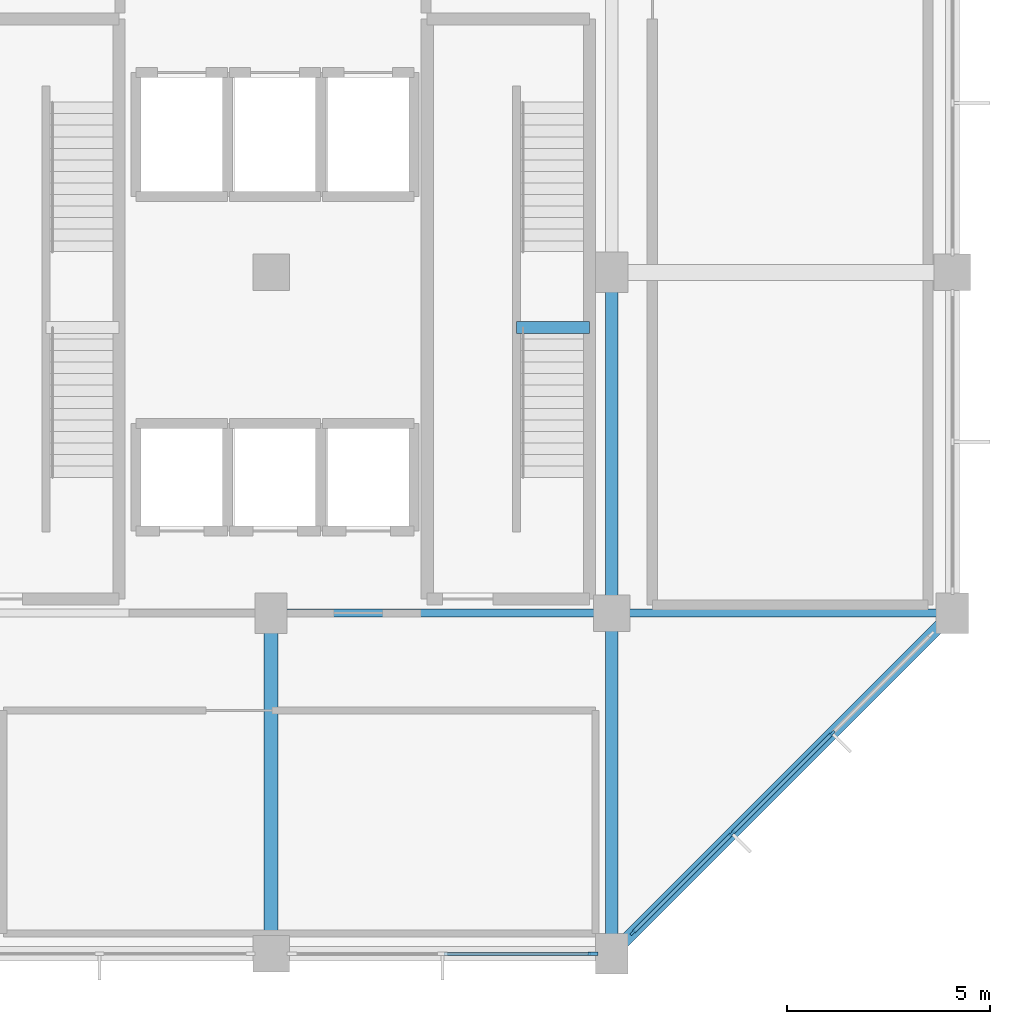
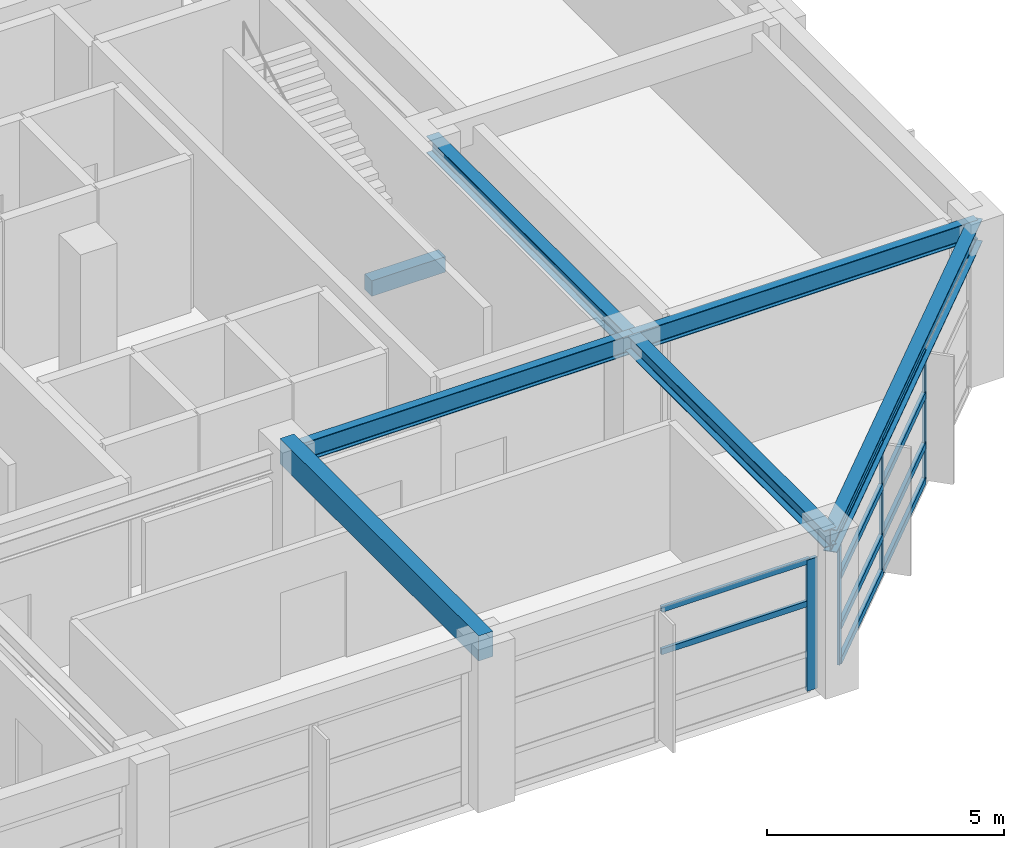
# One storey, part 3 of 12: 14 members, 7 beams, 2 elements without a shape of their own.
"""IFC4 building model written with IfcOpenShell, lengths in metres."""

from ifc_helpers import new_model, si_unit, direction, frame, origin, origin_2d, place, context, subcontext, project, spatial, rectangle, i_section, extrude, material, material_profile, profile_set, type_object, element, aggregate, save


model = new_model("IFC4")

# Units and contexts
model_context = context("Model", 3, precision=1e-05, world=origin(), true_north=direction((0.0, 1.0)))
body_context = subcontext(model_context, "Body", "Model", "MODEL_VIEW")
ifc_project = project(units=[si_unit("LENGTHUNIT", "METRE"), si_unit("AREAUNIT", "SQUARE_METRE"), si_unit("VOLUMEUNIT", "CUBIC_METRE"), si_unit("PLANEANGLEUNIT", "RADIAN"), si_unit("MASSUNIT", "GRAM", prefix="KILO")], contexts=[model_context])

# Site, building, storey
site_placement = place(None, origin())
site = spatial("IfcSite", under=ifc_project, at=site_placement, CompositionType="ELEMENT")
building_placement = place(site_placement, origin())
building = spatial("IfcBuilding", under=site, at=building_placement, Name="Xuanlan Plaza Opera House", CompositionType="ELEMENT")
storey_placement = place(building_placement, frame((0.0, 0.0, 65.699951171875)))
storey = spatial("IfcBuildingStorey", under=building, at=storey_placement, Name="L15", CompositionType="ELEMENT", Elevation=65.699951171875)

# Curtain wall, members
ifc_material_1 = material(Name="Anodised Aluminium 6063-T6 and Low-E Glass", Category="aluminium")
curtain_wall_type_1 = type_object("IfcCurtainWallType", Name="ENV-CW-CW-01", PredefinedType="USERDEFINED", material=ifc_material_1)
curtain_wall_1_placement = place(storey_placement, origin())
curtain_wall_1 = element("IfcCurtainWall", 1, at=curtain_wall_1_placement, inside=storey, type_object=curtain_wall_type_1, Name="Unitised Curtain Wall L15-004", ObjectType="UNITISED CURTAIN WALL", PredefinedType="USERDEFINED")
ifc_material_2 = material(Name="Anodised Aluminium 6063-T6", Category="aluminium")
ifc_material_profile_1 = material_profile(ifc_material_2, rectangle(XDim=0.06494140625, YDim=0.159912109375, at=origin_2d()), Name="ALU-M 65x160")
ifc_profile_set_1 = profile_set([ifc_material_profile_1], Name="Anodised Aluminium 6063-T6")
member_type_1 = type_object("IfcMemberType", Name="ENV-CWM-01", PredefinedType="MULLION", material=ifc_profile_set_1)
member_1_placement = place(storey_placement, frame((151.721923828125, 42.52197265625, 0.0), z_axis=(0.0, 0.0, 1.0), x_axis=(-0.707106781187, 0.707106781187, 0.0)))
member_1 = element("IfcMember", 2, at=member_1_placement, type_object=member_type_1, Name="CW-01 mullion 1", PredefinedType="MULLION", context=body_context, shape_type="SweptSolid", body=[
    extrude(rectangle(XDim=0.06494140625, YDim=0.159912109375, at=origin_2d()), origin(), (0.0, 0.0, 1.0), 3.380126953125),
])
member_2_placement = place(storey_placement, frame((154.166259765625, 44.96630859375, 0.0), z_axis=(0.0, 0.0, 1.0), x_axis=(-0.707106781187, 0.707106781187, 0.0)))
member_2 = element("IfcMember", 3, at=member_2_placement, type_object=member_type_1, Name="CW-01 mullion 2", PredefinedType="MULLION", context=body_context, shape_type="SweptSolid", body=[
    extrude(rectangle(XDim=0.06494140625, YDim=0.159912109375, at=origin_2d()), origin(), (0.0, 0.0, 1.0), 3.380126953125),
])
member_3_placement = place(storey_placement, frame((156.633544921875, 47.43359375, 0.0), z_axis=(0.0, 0.0, 1.0), x_axis=(-0.707106781187, 0.707106781187, 0.0)))
member_3 = element("IfcMember", 4, at=member_3_placement, type_object=member_type_1, Name="CW-01 mullion 3", PredefinedType="MULLION", context=body_context, shape_type="SweptSolid", body=[
    extrude(rectangle(XDim=0.06494140625, YDim=0.159912109375, at=origin_2d()), origin(), (0.0, 0.0, 1.0), 3.380126953125),
])

curtain_wall_type_2 = type_object("IfcCurtainWallType", Name="ENV-CW-CW-04", PredefinedType="USERDEFINED", material=ifc_material_1)
curtain_wall_2_placement = place(storey_placement, origin())
curtain_wall_2 = element("IfcCurtainWall", 5, at=curtain_wall_2_placement, inside=storey, type_object=curtain_wall_type_2, Name="Unitised Curtain Wall L15-003", ObjectType="UNITISED CURTAIN WALL", PredefinedType="USERDEFINED")
ifc_material_profile_2 = material_profile(ifc_material_2, rectangle(XDim=0.090087890625, YDim=0.25, at=origin_2d()), Name="ALU-M 90x250")
ifc_profile_set_2 = profile_set([ifc_material_profile_2], Name="Anodised Aluminium 6063-T6")
member_type_2 = type_object("IfcMemberType", Name="ENV-CWM-05", PredefinedType="MULLION", material=ifc_profile_set_2)
member_4_placement = place(storey_placement, frame((150.735107421875, 42.0, 0.0), z_axis=(0.0, 0.0, 1.0), x_axis=(0.0, 1.0, 0.0)))
member_4 = element("IfcMember", 6, at=member_4_placement, type_object=member_type_2, Name="CW-04 mullion 3", PredefinedType="MULLION", context=body_context, shape_type="SweptSolid", body=[
    extrude(rectangle(XDim=0.090087890625, YDim=0.25, at=origin_2d()), origin(), (0.0, 0.0, 1.0), 3.380126953125),
])
ifc_material_profile_3 = material_profile(ifc_material_2, rectangle(XDim=0.074951171875, YDim=0.14990234375, at=origin_2d()), Name="ALU-T 75x150")
ifc_profile_set_3 = profile_set([ifc_material_profile_3], Name="Anodised Aluminium 6063-T6")
member_type_3 = type_object("IfcMemberType", Name="ENV-CWT-03", PredefinedType="USERDEFINED", material=ifc_profile_set_3)
member_5_placement = place(storey_placement, frame((147.070068359375, 42.0, 2.25), z_axis=(1.0, 0.0, 0.0), x_axis=(0.0, 1.0, 0.0)))
member_5 = element("IfcMember", 7, at=member_5_placement, type_object=member_type_3, Name="CW-04 transom 2.3", ObjectType="TRANSOM", PredefinedType="USERDEFINED", context=body_context, shape_type="SweptSolid", body=[
    extrude(rectangle(XDim=0.074951171875, YDim=0.14990234375, at=origin_2d()), origin(), (0.0, 0.0, 1.0), 3.619873046875),
])
member_6_placement = place(storey_placement, frame((147.070068359375, 42.0, 3.342529296875), z_axis=(1.0, 0.0, 0.0), x_axis=(0.0, 1.0, 0.0)))
member_6 = element("IfcMember", 8, at=member_6_placement, type_object=member_type_3, Name="CW-04 transom 2.4", ObjectType="TRANSOM", PredefinedType="USERDEFINED", context=body_context, shape_type="SweptSolid", body=[
    extrude(rectangle(XDim=0.074951171875, YDim=0.14990234375, at=origin_2d()), origin(), (0.0, 0.0, 1.0), 3.619873046875),
])
aggregate(curtain_wall_2, [member_4, member_5, member_6])

# Member
ifc_material_profile_4 = material_profile(ifc_material_2, rectangle(XDim=0.090087890625, YDim=0.179931640625, at=origin_2d()), Name="ALU-T 90x180")
ifc_profile_set_4 = profile_set([ifc_material_profile_4], Name="Anodised Aluminium 6063-T6")
member_type_4 = type_object("IfcMemberType", Name="ENV-CWT-05", PredefinedType="USERDEFINED", material=ifc_profile_set_4)
member_7_placement = place(storey_placement, frame((151.744873046875, 42.544921875, 0.045166015625), z_axis=(0.707106781187, 0.707106781187, 0.0), x_axis=(-0.707106781187, 0.707106781187, 0.0)))
member_7 = element("IfcMember", 9, at=member_7_placement, type_object=member_type_4, Name="CW-01 transom 1.1", ObjectType="TRANSOM", PredefinedType="USERDEFINED", context=body_context, shape_type="SweptSolid", body=[
    extrude(rectangle(XDim=0.090087890625, YDim=0.179931640625, at=origin_2d()), origin(), (0.0, 0.0, 1.0), 3.391845703125),
])

member_8_placement = place(storey_placement, frame((151.744873046875, 42.544921875, 0.949951171875), z_axis=(0.707106781187, 0.707106781187, 0.0), x_axis=(-0.707106781187, 0.707106781187, 0.0)))
member_8 = element("IfcMember", 10, at=member_8_placement, type_object=member_type_4, Name="CW-01 transom 1.2", ObjectType="TRANSOM", PredefinedType="USERDEFINED", context=body_context, shape_type="SweptSolid", body=[
    extrude(rectangle(XDim=0.090087890625, YDim=0.179931640625, at=origin_2d()), origin(), (0.0, 0.0, 1.0), 3.391845703125),
])

member_9_placement = place(storey_placement, frame((151.744873046875, 42.544921875, 2.25), z_axis=(0.707106781187, 0.707106781187, 0.0), x_axis=(-0.707106781187, 0.707106781187, 0.0)))
member_9 = element("IfcMember", 11, at=member_9_placement, type_object=member_type_4, Name="CW-01 transom 1.3", ObjectType="TRANSOM", PredefinedType="USERDEFINED", context=body_context, shape_type="SweptSolid", body=[
    extrude(rectangle(XDim=0.090087890625, YDim=0.179931640625, at=origin_2d()), origin(), (0.0, 0.0, 1.0), 3.391845703125),
])

member_10_placement = place(storey_placement, frame((151.744873046875, 42.544921875, 3.3349609375), z_axis=(0.707106781187, 0.707106781187, 0.0), x_axis=(-0.707106781187, 0.707106781187, 0.0)))
member_10 = element("IfcMember", 12, at=member_10_placement, type_object=member_type_4, Name="CW-01 transom 1.4", ObjectType="TRANSOM", PredefinedType="USERDEFINED", context=body_context, shape_type="SweptSolid", body=[
    extrude(rectangle(XDim=0.090087890625, YDim=0.179931640625, at=origin_2d()), origin(), (0.0, 0.0, 1.0), 3.391845703125),
])

member_11_placement = place(storey_placement, frame((154.189208984375, 44.9892578125, 0.045166015625), z_axis=(0.707106781187, 0.707106781187, 0.0), x_axis=(-0.707106781187, 0.707106781187, 0.0)))
member_11 = element("IfcMember", 13, at=member_11_placement, type_object=member_type_4, Name="CW-01 transom 2.1", ObjectType="TRANSOM", PredefinedType="USERDEFINED", context=body_context, shape_type="SweptSolid", body=[
    extrude(rectangle(XDim=0.090087890625, YDim=0.179931640625, at=origin_2d()), origin(), (0.0, 0.0, 1.0), 3.42431640625),
])

member_12_placement = place(storey_placement, frame((154.189208984375, 44.9892578125, 0.949951171875), z_axis=(0.707106781187, 0.707106781187, 0.0), x_axis=(-0.707106781187, 0.707106781187, 0.0)))
member_12 = element("IfcMember", 14, at=member_12_placement, type_object=member_type_4, Name="CW-01 transom 2.2", ObjectType="TRANSOM", PredefinedType="USERDEFINED", context=body_context, shape_type="SweptSolid", body=[
    extrude(rectangle(XDim=0.090087890625, YDim=0.179931640625, at=origin_2d()), origin(), (0.0, 0.0, 1.0), 3.42431640625),
])

member_13_placement = place(storey_placement, frame((154.189208984375, 44.9892578125, 2.25), z_axis=(0.707106781187, 0.707106781187, 0.0), x_axis=(-0.707106781187, 0.707106781187, 0.0)))
member_13 = element("IfcMember", 15, at=member_13_placement, type_object=member_type_4, Name="CW-01 transom 2.3", ObjectType="TRANSOM", PredefinedType="USERDEFINED", context=body_context, shape_type="SweptSolid", body=[
    extrude(rectangle(XDim=0.090087890625, YDim=0.179931640625, at=origin_2d()), origin(), (0.0, 0.0, 1.0), 3.42431640625),
])

member_14_placement = place(storey_placement, frame((154.189208984375, 44.9892578125, 3.3349609375), z_axis=(0.707106781187, 0.707106781187, 0.0), x_axis=(-0.707106781187, 0.707106781187, 0.0)))
member_14 = element("IfcMember", 16, at=member_14_placement, type_object=member_type_4, Name="CW-01 transom 2.4", ObjectType="TRANSOM", PredefinedType="USERDEFINED", context=body_context, shape_type="SweptSolid", body=[
    extrude(rectangle(XDim=0.090087890625, YDim=0.179931640625, at=origin_2d()), origin(), (0.0, 0.0, 1.0), 3.42431640625),
])

aggregate(curtain_wall_1, [member_1, member_2, member_3, member_7, member_8, member_9, member_10, member_11, member_12, member_13, member_14])

# Beams
ifc_material_3 = material(Name="Concrete C40", Category="concrete")
ifc_material_profile_5 = material_profile(ifc_material_3, rectangle(XDim=0.35009765625, YDim=0.64990234375, at=origin_2d()), Name="RC-BM 350x650")
ifc_profile_set_5 = profile_set([ifc_material_profile_5], Name="Concrete C40")
beam_type_1 = type_object("IfcBeamType", Name="STR-BM-B-08", PredefinedType="BEAM", material=ifc_profile_set_5)
beam_1_placement = place(storey_placement, frame((142.800048828125, 42.0, 3.875), z_axis=(0.0, 1.0, 0.0), x_axis=(-1.0, 0.0, 0.0)))
element("IfcBeam", 17, at=beam_1_placement, inside=storey, type_object=beam_type_1, Name="Grid Beam Y L15 18/F-G", PredefinedType="BEAM", context=body_context, shape_type="SweptSolid", body=[
    extrude(rectangle(XDim=0.35009765625, YDim=0.64990234375, at=origin_2d()), origin(), (0.0, 0.0, 1.0), 8.39990234375),
])
ifc_material_profile_6 = material_profile(ifc_material_3, rectangle(XDim=0.300048828125, YDim=0.39990234375, at=origin_2d()), Name="RC-LNT 300x400")
ifc_profile_set_6 = profile_set([ifc_material_profile_6], Name="Concrete C40")
beam_type_2 = type_object("IfcBeamType", Name="STR-BM-LN-01", PredefinedType="LINTEL", material=ifc_profile_set_6)
beam_2_placement = place(storey_placement, frame((148.85009765625, 57.445068359375, 1.699951171875), z_axis=(1.0, 0.0, 0.0), x_axis=(0.0, 1.0, 0.0)))
element("IfcBeam", 18, at=beam_2_placement, inside=storey, type_object=beam_type_2, Name="Stair Mid-Landing Trimmer Beam ST-T2 L15", PredefinedType="LINTEL", context=body_context, shape_type="SweptSolid", body=[
    extrude(rectangle(XDim=0.300048828125, YDim=0.39990234375, at=origin_2d()), origin(), (0.0, 0.0, 1.0), 1.7998046875),
])
ifc_material_4 = material(Name="Steel Q355B", Category="steel")
ifc_material_profile_7 = material_profile(ifc_material_4, i_section(OverallWidth=0.199951171875, OverallDepth=0.5, WebThickness=0.010009765625, FlangeThickness=0.01611328125, FilletRadius=0.02001953125, at=origin_2d()), Name="HN 500x200x10x16")
ifc_profile_set_7 = profile_set([ifc_material_profile_7], Name="Steel Q355B")
beam_type_3 = type_object("IfcBeamType", Name="STR-BM-SB-05", PredefinedType="BEAM", material=ifc_profile_set_7)
beam_3_placement = place(storey_placement, frame((142.800048828125, 50.39990234375, 3.705078125), z_axis=(1.0, 0.0, 0.0), x_axis=(0.0, 1.0, 0.0)))
element("IfcBeam", 19, at=beam_3_placement, inside=storey, type_object=beam_type_3, Name="Grid Beam X L15 18-19/G", PredefinedType="BEAM", context=body_context, shape_type="SweptSolid", body=[
    extrude(i_section(OverallWidth=0.199951171875, OverallDepth=0.5, WebThickness=0.010009765625, FlangeThickness=0.01611328125, FilletRadius=0.02001953125, at=origin_2d()), origin(), (0.0, 0.0, 1.0), 8.39990234375),
])
beam_4_placement = place(storey_placement, frame((151.199951171875, 50.39990234375, 3.705078125), z_axis=(1.0, 0.0, 0.0), x_axis=(0.0, 1.0, 0.0)))
element("IfcBeam", 20, at=beam_4_placement, inside=storey, type_object=beam_type_3, Name="Grid Beam X L15 19-20/G", PredefinedType="BEAM", context=body_context, shape_type="SweptSolid", body=[
    extrude(i_section(OverallWidth=0.199951171875, OverallDepth=0.5, WebThickness=0.010009765625, FlangeThickness=0.01611328125, FilletRadius=0.02001953125, at=origin_2d()), origin(), (0.0, 0.0, 1.0), 8.400146484375),
])
ifc_material_profile_8 = material_profile(ifc_material_4, i_section(OverallWidth=0.300048828125, OverallDepth=0.43994140625, WebThickness=0.010986328125, FlangeThickness=0.01806640625, FilletRadius=0.02001953125, at=origin_2d()), Name="HM 440x300x11x18")
ifc_profile_set_8 = profile_set([ifc_material_profile_8], Name="Steel Q355B")
beam_type_4 = type_object("IfcBeamType", Name="STR-BM-SB-08", PredefinedType="BEAM", material=ifc_profile_set_8)
beam_5_placement = place(storey_placement, frame((151.199951171875, 42.0, 3.735107421875), z_axis=(0.0, 1.0, 0.0), x_axis=(-1.0, 0.0, 0.0)))
element("IfcBeam", 21, at=beam_5_placement, inside=storey, type_object=beam_type_4, Name="Grid Beam Y L15 19/F-G", PredefinedType="BEAM", context=body_context, shape_type="SweptSolid", body=[
    extrude(i_section(OverallWidth=0.300048828125, OverallDepth=0.43994140625, WebThickness=0.010986328125, FlangeThickness=0.01806640625, FilletRadius=0.02001953125, at=origin_2d()), origin(), (0.0, 0.0, 1.0), 8.39990234375),
])
beam_6_placement = place(storey_placement, frame((151.199951171875, 50.39990234375, 3.735107421875), z_axis=(0.0, 1.0, 0.0), x_axis=(-1.0, 0.0, 0.0)))
element("IfcBeam", 22, at=beam_6_placement, inside=storey, type_object=beam_type_4, Name="Grid Beam Y L15 19/G-H", PredefinedType="BEAM", context=body_context, shape_type="SweptSolid", body=[
    extrude(i_section(OverallWidth=0.300048828125, OverallDepth=0.43994140625, WebThickness=0.010986328125, FlangeThickness=0.01806640625, FilletRadius=0.02001953125, at=origin_2d()), origin(), (0.0, 0.0, 1.0), 8.400146484375),
])
ifc_material_profile_9 = material_profile(ifc_material_4, i_section(OverallWidth=0.300048828125, OverallDepth=0.587890625, WebThickness=0.011962890625, FlangeThickness=0.02001953125, FilletRadius=0.02392578125, at=origin_2d()), Name="HM 588x300x12x20")
ifc_profile_set_9 = profile_set([ifc_material_profile_9], Name="Steel Q355B")
beam_type_5 = type_object("IfcBeamType", Name="STR-BM-SP-03", PredefinedType="SPANDREL", material=ifc_profile_set_9)
beam_7_placement = place(storey_placement, frame((159.60009765625, 50.39990234375, 3.6611328125), z_axis=(-0.707117056885, -0.707096505339, 0.0), x_axis=(0.707096505339, -0.707117056885, 0.0)))
element("IfcBeam", 23, at=beam_7_placement, inside=storey, type_object=beam_type_5, Name="Faceted Edge Spandrel L15 CH00", PredefinedType="SPANDREL", context=body_context, shape_type="SweptSolid", body=[
    extrude(i_section(OverallWidth=0.300048828125, OverallDepth=0.587890625, WebThickness=0.011962890625, FlangeThickness=0.02001953125, FilletRadius=0.02392578125, at=origin_2d()), origin(), (0.0, 0.0, 1.0), 11.87939453125),
])

save(model, "model.ifc")
